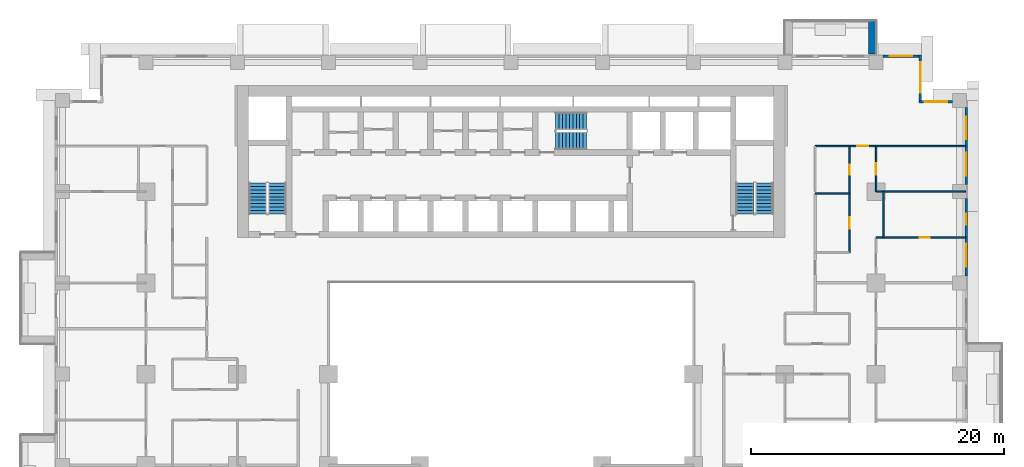
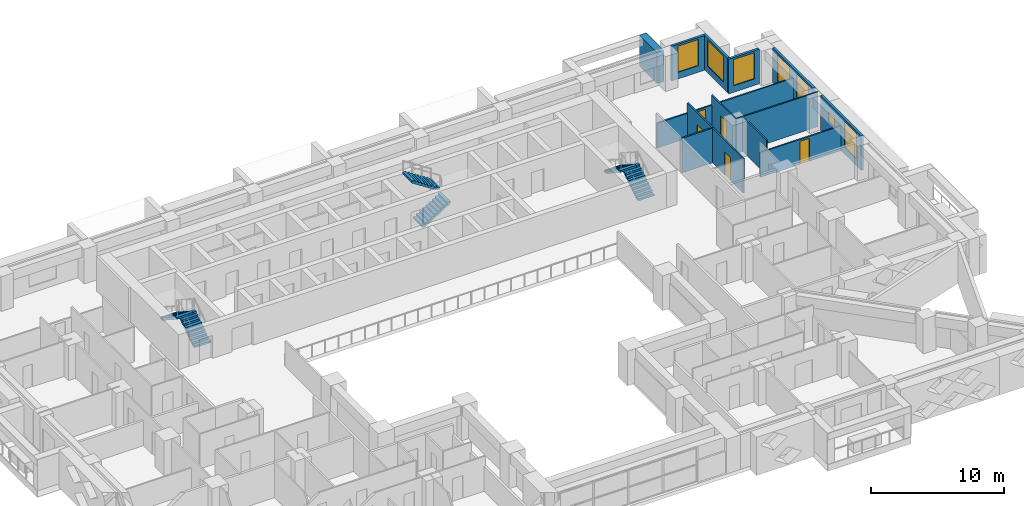
# One storey, part 12 of 16: 13 walls, 7 windows, 6 stair flights, 5 doors, 12 openings, 3 elements without a shape of their own.
"""IFC4 building model written with IfcOpenShell, lengths in metres."""

from ifc_helpers import new_model, si_unit, direction, frame, frame_2d, origin, place, context, subcontext, project, spatial, polyline, rectangle, outline, extrude, material, layer, layer_set, type_object, element, fill, aggregate, save


model = new_model("IFC4")

# Units and contexts
model_context = context("Model", 3, precision=1e-05, world=origin(), true_north=direction((0.0, 1.0)))
body_context = subcontext(model_context, "Body", "Model", "MODEL_VIEW")
ifc_project = project(units=[si_unit("LENGTHUNIT", "METRE"), si_unit("AREAUNIT", "SQUARE_METRE"), si_unit("VOLUMEUNIT", "CUBIC_METRE"), si_unit("PLANEANGLEUNIT", "RADIAN"), si_unit("MASSUNIT", "GRAM", prefix="KILO")], contexts=[model_context])

# Site, building, storey
site_placement = place(None, origin())
site = spatial("IfcSite", under=ifc_project, at=site_placement, CompositionType="ELEMENT")
building_placement = place(site_placement, origin())
building = spatial("IfcBuilding", under=site, at=building_placement, Name="Saffron Iwan Residences", CompositionType="ELEMENT")
storey_placement = place(building_placement, frame((0.0, 0.0, 44.5)))
storey = spatial("IfcBuildingStorey", under=building, at=storey_placement, Name="L10", CompositionType="ELEMENT", Elevation=44.5)

# Wall
ifc_material_1 = material(Name="Concrete C50/60 white painted", Category="concrete")
ifc_layer_1 = layer(ifc_material_1, 0.60009765625)
ifc_layer_set_1 = layer_set([ifc_layer_1], Name="Concrete C50/60 white painted")
wall_type_1 = type_object("IfcWallType", Name="BALCONY FIN 600", PredefinedType="SOLIDWALL", material=ifc_layer_set_1)
wall_1_placement = place(storey_placement, frame((78.89990234375, 80.449951171875, 0.0), z_axis=(0.0, 0.0, 1.0), x_axis=(0.0, 1.0, 0.0)))
element("IfcWall", 1, at=wall_1_placement, inside=storey, type_object=wall_type_1, Name="Balcony fin L10 F5-0a", PredefinedType="SOLIDWALL", context=body_context, shape_type="SweptSolid", body=[
    extrude(rectangle(XDim=2.650146484375, YDim=0.60009765625, at=frame_2d((1.3251953125, 0.0))), origin(), (0.0, 0.0, 1.0), 2.85009765625),
])

# Wall, openings, windows
ifc_material_2 = material(Name="Concrete C40/50", Category="concrete")
ifc_layer_2 = layer(ifc_material_2, 0.199951171875)
ifc_layer_set_2 = layer_set([ifc_layer_2], Name="Concrete C40/50")
wall_type_2 = type_object("IfcWallType", Name="EXTERNAL WALL 200", PredefinedType="SOLIDWALL", material=ifc_layer_set_2)
wall_2_placement = place(storey_placement, frame((86.300048828125, 62.949951171875, 0.0), z_axis=(0.0, 0.0, 1.0), x_axis=(0.0, 1.0, 0.0)))
wall_2 = element("IfcWall", 2, at=wall_2_placement, inside=storey, type_object=wall_type_2, Name="External wall L10 F2.2", PredefinedType="SOLIDWALL", context=body_context, shape_type="SweptSolid", body=[
    extrude(rectangle(XDim=6.10009765625, YDim=0.199951171875, at=frame_2d((3.050048828125, 0.0))), origin(), (0.0, 0.0, 1.0), 3.179931640625),
])
opening_1_placement = place(wall_2_placement, frame((0.72509765625, 0.0, 0.60009765625)))
opening_1 = element("IfcOpeningElement", 3, at=opening_1_placement, cuts=wall_2, Name="Opening W8", PredefinedType="OPENING", context=body_context, shape_type="SweptSolid", body=[
    extrude(rectangle(XDim=1.800048828125, YDim=2.39990234375, at=frame_2d((0.89990234375, 1.199951171875))), frame((0.0, 0.10986328125, 0.0), z_axis=(0.0, -1.0, 0.0), x_axis=(1.0, 0.0, 0.0)), (0.0, 0.0, 1.0), 0.219970703125),
])
opening_2_placement = place(wall_2_placement, frame((4.02490234375, 0.0, 1.5)))
opening_2 = element("IfcOpeningElement", 4, at=opening_2_placement, cuts=wall_2, Name="Opening W6", PredefinedType="OPENING", context=body_context, shape_type="SweptSolid", body=[
    extrude(rectangle(XDim=0.89990234375, YDim=0.89990234375, at=frame_2d((0.449951171875, 0.449951171875))), frame((0.0, 0.10986328125, 0.0), z_axis=(0.0, -1.0, 0.0), x_axis=(1.0, 0.0, 0.0)), (0.0, 0.0, 1.0), 0.219970703125),
])
ifc_material_3 = material(Name="Clear glass, laminated double glazed", Category="glass")
window_type_1 = type_object("IfcWindowType", Name="WINDOW 1800 x 2400", PartitioningType="DOUBLE_PANEL_VERTICAL", PredefinedType="WINDOW", material=ifc_material_3)
window_1_placement = place(opening_1_placement, origin())
window_1 = element("IfcWindow", 5, at=window_1_placement, inside=storey, type_object=window_type_1, Name="Window L10 F2.0", OverallHeight=2.39990234375, OverallWidth=1.800048828125, PartitioningType="DOUBLE_PANEL_VERTICAL", PredefinedType="WINDOW", context=body_context, shape_type="SweptSolid", body=[
    extrude(rectangle(XDim=1.800048828125, YDim=2.39990234375, at=frame_2d((0.89990234375, 1.199951171875))), frame((0.0, 0.030029296875, 0.0), z_axis=(0.0, -1.0, 0.0), x_axis=(1.0, 0.0, 0.0)), (0.0, 0.0, 1.0), 0.06005859375),
])
fill(opening_1, window_1)
window_type_2 = type_object("IfcWindowType", Name="WINDOW 900 x 900 BATH", PartitioningType="SINGLE_PANEL", PredefinedType="WINDOW", material=ifc_material_3)
window_2_placement = place(opening_2_placement, origin())
window_2 = element("IfcWindow", 6, at=window_2_placement, inside=storey, type_object=window_type_2, Name="Window L10 F2.1", OverallHeight=0.89990234375, OverallWidth=0.89990234375, PartitioningType="SINGLE_PANEL", PredefinedType="WINDOW", context=body_context, shape_type="SweptSolid", body=[
    extrude(rectangle(XDim=0.89990234375, YDim=0.89990234375, at=frame_2d((0.449951171875, 0.449951171875))), frame((0.0, 0.030029296875, 0.0), z_axis=(0.0, -1.0, 0.0), x_axis=(1.0, 0.0, 0.0)), (0.0, 0.0, 1.0), 0.06005859375),
])
fill(opening_2, window_2)

wall_3_placement = place(storey_placement, frame((86.300048828125, 70.14990234375, 0.0), z_axis=(0.0, 0.0, 1.0), x_axis=(0.0, 1.0, 0.0)))
wall_3 = element("IfcWall", 7, at=wall_3_placement, inside=storey, type_object=wall_type_2, Name="External wall L10 F2.3", PredefinedType="SOLIDWALL", context=body_context, shape_type="SweptSolid", body=[
    extrude(rectangle(XDim=6.10009765625, YDim=0.199951171875, at=frame_2d((3.050048828125, 0.0))), origin(), (0.0, 0.0, 1.0), 3.179931640625),
])
opening_3_placement = place(wall_3_placement, frame((0.72509765625, 0.0, 0.60009765625)))
opening_3 = element("IfcOpeningElement", 8, at=opening_3_placement, cuts=wall_3, Name="Opening W8", PredefinedType="OPENING", context=body_context, shape_type="SweptSolid", body=[
    extrude(rectangle(XDim=1.800048828125, YDim=2.39990234375, at=frame_2d((0.89990234375, 1.199951171875))), frame((0.0, 0.10986328125, 0.0), z_axis=(0.0, -1.0, 0.0), x_axis=(1.0, 0.0, 0.0)), (0.0, 0.0, 1.0), 0.219970703125),
])
opening_4_placement = place(wall_3_placement, frame((3.574951171875, 0.0, 0.60009765625)))
opening_4 = element("IfcOpeningElement", 9, at=opening_4_placement, cuts=wall_3, Name="Opening W8", PredefinedType="OPENING", context=body_context, shape_type="SweptSolid", body=[
    extrude(rectangle(XDim=1.800048828125, YDim=2.39990234375, at=frame_2d((0.89990234375, 1.199951171875))), frame((0.0, 0.10986328125, 0.0), z_axis=(0.0, -1.0, 0.0), x_axis=(1.0, 0.0, 0.0)), (0.0, 0.0, 1.0), 0.219970703125),
])
window_3_placement = place(opening_3_placement, origin())
window_3 = element("IfcWindow", 10, at=window_3_placement, inside=storey, type_object=window_type_1, Name="Window L10 F2.0", OverallHeight=2.39990234375, OverallWidth=1.800048828125, PartitioningType="DOUBLE_PANEL_VERTICAL", PredefinedType="WINDOW", context=body_context, shape_type="SweptSolid", body=[
    extrude(rectangle(XDim=1.800048828125, YDim=2.39990234375, at=frame_2d((0.89990234375, 1.199951171875))), frame((0.0, 0.030029296875, 0.0), z_axis=(0.0, -1.0, 0.0), x_axis=(1.0, 0.0, 0.0)), (0.0, 0.0, 1.0), 0.06005859375),
])
fill(opening_3, window_3)
window_4_placement = place(opening_4_placement, origin())
window_4 = element("IfcWindow", 11, at=window_4_placement, inside=storey, type_object=window_type_1, Name="Window L10 F2.1", OverallHeight=2.39990234375, OverallWidth=1.800048828125, PartitioningType="DOUBLE_PANEL_VERTICAL", PredefinedType="WINDOW", context=body_context, shape_type="SweptSolid", body=[
    extrude(rectangle(XDim=1.800048828125, YDim=2.39990234375, at=frame_2d((0.89990234375, 1.199951171875))), frame((0.0, 0.030029296875, 0.0), z_axis=(0.0, -1.0, 0.0), x_axis=(1.0, 0.0, 0.0)), (0.0, 0.0, 1.0), 0.06005859375),
])
fill(opening_4, window_4)

# Wall, opening, window
wall_4_placement = place(storey_placement, frame((85.25, 76.699951171875, 0.0), z_axis=(0.0, 0.0, 1.0), x_axis=(-1.0, 0.0, 0.0)))
wall_4 = element("IfcWall", 12, at=wall_4_placement, inside=storey, type_object=wall_type_2, Name="External wall L10 F3.0", PredefinedType="SOLIDWALL", context=body_context, shape_type="SweptSolid", body=[
    extrude(rectangle(XDim=2.64990234375, YDim=0.199951171875, at=frame_2d((1.324951171875, 0.0))), origin(), (0.0, 0.0, 1.0), 3.179931640625),
])
opening_5_placement = place(wall_4_placement, frame((0.425048828125, 0.0, 0.60009765625)))
opening_5 = element("IfcOpeningElement", 13, at=opening_5_placement, cuts=wall_4, Name="Opening W8", PredefinedType="OPENING", context=body_context, shape_type="SweptSolid", body=[
    extrude(rectangle(XDim=1.800048828125, YDim=2.39990234375, at=frame_2d((0.89990234375, 1.199951171875))), frame((0.0, 0.10986328125, 0.0), z_axis=(0.0, -1.0, 0.0), x_axis=(1.0, 0.0, 0.0)), (0.0, 0.0, 1.0), 0.219970703125),
])
window_5_placement = place(opening_5_placement, origin())
window_5 = element("IfcWindow", 14, at=window_5_placement, inside=storey, type_object=window_type_1, Name="Window L10 F3.0", OverallHeight=2.39990234375, OverallWidth=1.800048828125, PartitioningType="DOUBLE_PANEL_VERTICAL", PredefinedType="WINDOW", context=body_context, shape_type="SweptSolid", body=[
    extrude(rectangle(XDim=1.800048828125, YDim=2.39990234375, at=frame_2d((0.89990234375, 1.199951171875))), frame((0.0, 0.030029296875, 0.0), z_axis=(0.0, -1.0, 0.0), x_axis=(1.0, 0.0, 0.0)), (0.0, 0.0, 1.0), 0.06005859375),
])
fill(opening_5, window_5)

wall_5_placement = place(storey_placement, frame((82.699951171875, 76.800048828125, 0.0), z_axis=(0.0, 0.0, 1.0), x_axis=(0.0, 1.0, 0.0)))
wall_5 = element("IfcWall", 15, at=wall_5_placement, inside=storey, type_object=wall_type_2, Name="External wall L10 F4.0", PredefinedType="SOLIDWALL", context=body_context, shape_type="SweptSolid", body=[
    extrude(rectangle(XDim=3.599853515625, YDim=0.199951171875, at=frame_2d((1.7998046875, 0.0))), origin(), (0.0, 0.0, 1.0), 3.179931640625),
])
opening_6_placement = place(wall_5_placement, frame((0.60009765625, 0.0, 0.60009765625)))
opening_6 = element("IfcOpeningElement", 16, at=opening_6_placement, cuts=wall_5, Name="Opening W1", PredefinedType="OPENING", context=body_context, shape_type="SweptSolid", body=[
    extrude(rectangle(XDim=2.39990234375, YDim=2.39990234375, at=frame_2d((1.199951171875, 1.199951171875))), frame((0.0, 0.10986328125, 0.0), z_axis=(0.0, -1.0, 0.0), x_axis=(1.0, 0.0, 0.0)), (0.0, 0.0, 1.0), 0.219970703125),
])
window_type_3 = type_object("IfcWindowType", Name="WINDOW 2400 x 2400", PartitioningType="DOUBLE_PANEL_VERTICAL", PredefinedType="WINDOW", material=ifc_material_3)
window_6_placement = place(opening_6_placement, origin())
window_6 = element("IfcWindow", 17, at=window_6_placement, inside=storey, type_object=window_type_3, Name="Window L10 F4.0", OverallHeight=2.39990234375, OverallWidth=2.39990234375, PartitioningType="DOUBLE_PANEL_VERTICAL", PredefinedType="WINDOW", context=body_context, shape_type="SweptSolid", body=[
    extrude(rectangle(XDim=2.39990234375, YDim=2.39990234375, at=frame_2d((1.199951171875, 1.199951171875))), frame((0.0, 0.030029296875, 0.0), z_axis=(0.0, -1.0, 0.0), x_axis=(1.0, 0.0, 0.0)), (0.0, 0.0, 1.0), 0.06005859375),
])
fill(opening_6, window_6)

wall_6_placement = place(storey_placement, frame((82.60009765625, 80.300048828125, 0.0), z_axis=(0.0, 0.0, 1.0), x_axis=(-1.0, 0.0, 0.0)))
wall_6 = element("IfcWall", 18, at=wall_6_placement, inside=storey, type_object=wall_type_2, Name="External wall L10 F5.0", PredefinedType="SOLIDWALL", context=body_context, shape_type="SweptSolid", body=[
    extrude(rectangle(XDim=2.85009765625, YDim=0.199951171875, at=frame_2d((1.425048828125, 0.0))), origin(), (0.0, 0.0, 1.0), 3.179931640625),
])
opening_7_placement = place(wall_6_placement, frame((0.52490234375, 0.0, 0.60009765625)))
opening_7 = element("IfcOpeningElement", 19, at=opening_7_placement, cuts=wall_6, Name="Opening W8", PredefinedType="OPENING", context=body_context, shape_type="SweptSolid", body=[
    extrude(rectangle(XDim=1.800048828125, YDim=2.39990234375, at=frame_2d((0.89990234375, 1.199951171875))), frame((0.0, 0.10986328125, 0.0), z_axis=(0.0, -1.0, 0.0), x_axis=(1.0, 0.0, 0.0)), (0.0, 0.0, 1.0), 0.219970703125),
])
window_7_placement = place(opening_7_placement, origin())
window_7 = element("IfcWindow", 20, at=window_7_placement, inside=storey, type_object=window_type_1, Name="Window L10 F5.0", OverallHeight=2.39990234375, OverallWidth=1.800048828125, PartitioningType="DOUBLE_PANEL_VERTICAL", PredefinedType="WINDOW", context=body_context, shape_type="SweptSolid", body=[
    extrude(rectangle(XDim=1.800048828125, YDim=2.39990234375, at=frame_2d((0.89990234375, 1.199951171875))), frame((0.0, 0.030029296875, 0.0), z_axis=(0.0, -1.0, 0.0), x_axis=(1.0, 0.0, 0.0)), (0.0, 0.0, 1.0), 0.06005859375),
])
fill(opening_7, window_7)

# Wall, opening, door
ifc_material_4 = material(Name="Gypsum board partition")
ifc_layer_3 = layer(ifc_material_4, 0.1201171875)
ifc_layer_set_3 = layer_set([ifc_layer_3], Name="Gypsum board partition")
wall_type_3 = type_object("IfcWallType", Name="Flat partition 120", PredefinedType="PARTITIONING", material=ifc_layer_set_3)
wall_7_placement = place(storey_placement, frame((79.199951171875, 66.0, 0.0), z_axis=(0.0, 0.0, 1.0), x_axis=(1.0, 0.0, 0.0)))
wall_7 = element("IfcWall", 21, at=wall_7_placement, inside=storey, type_object=wall_type_3, Name="W-L10-PART-h66-79.2", PredefinedType="PARTITIONING", context=body_context, shape_type="SweptSolid", body=[
    extrude(rectangle(XDim=7.074951171875, YDim=0.1201171875, at=frame_2d((3.53759765625, 0.0))), origin(), (0.0, 0.0, 1.0), 2.280029296875),
])
opening_8_placement = place(wall_7_placement, frame((3.4375, 0.0, 0.0)))
opening_8 = element("IfcOpeningElement", 22, at=opening_8_placement, cuts=wall_7, Name="Opening FD3", PredefinedType="OPENING", context=body_context, shape_type="SweptSolid", body=[
    extrude(rectangle(XDim=0.800048828125, YDim=2.10009765625, at=frame_2d((0.39990234375, 1.050048828125))), frame((0.0, 0.070068359375, 0.0), z_axis=(0.0, -1.0, 0.0), x_axis=(1.0, 0.0, 0.0)), (0.0, 0.0, 1.0), 0.14013671875),
])
ifc_material_5 = material(Name="Timber door", Category="wood")
door_type_1 = type_object("IfcDoorType", Name="Bathroom door 800", OperationType="NOTDEFINED", PredefinedType="DOOR", material=ifc_material_5)
door_1_placement = place(opening_8_placement, origin())
door_1 = element("IfcDoor", 23, at=door_1_placement, inside=storey, type_object=door_type_1, Name="Door L10-037", OperationType="SINGLE_SWING_LEFT", OverallHeight=2.10009765625, OverallWidth=0.800048828125, PredefinedType="DOOR", context=body_context, shape_type="SweptSolid", body=[
    extrude(rectangle(XDim=0.800048828125, YDim=2.10009765625, at=frame_2d((0.39990234375, 1.050048828125))), frame((0.0, 0.02490234375, 0.0), z_axis=(0.0, -1.0, 0.0), x_axis=(1.0, 0.0, 0.0)), (0.0, 0.0, 1.0), 0.050048828125),
])
fill(opening_8, door_1)

# Walls
wall_8_placement = place(storey_placement, frame((74.39990234375, 69.449951171875, 0.0), z_axis=(0.0, 0.0, 1.0), x_axis=(1.0, 0.0, 0.0)))
element("IfcWall", 24, at=wall_8_placement, inside=storey, type_object=wall_type_3, Name="W-L10-PART-h69.45-74.4", PredefinedType="PARTITIONING", context=body_context, shape_type="SweptSolid", body=[
    extrude(rectangle(XDim=2.7001953125, YDim=0.1201171875, at=frame_2d((1.35009765625, 0.0))), origin(), (0.0, 0.0, 1.0), 3.179931640625),
])
wall_9_placement = place(storey_placement, frame((79.199951171875, 69.60009765625, 0.0), z_axis=(0.0, 0.0, 1.0), x_axis=(1.0, 0.0, 0.0)))
element("IfcWall", 25, at=wall_9_placement, inside=storey, type_object=wall_type_3, Name="W-L10-PART-h69.6-79.2", PredefinedType="PARTITIONING", context=body_context, shape_type="SweptSolid", body=[
    extrude(rectangle(XDim=7.074951171875, YDim=0.1201171875, at=frame_2d((3.53759765625, 0.0))), origin(), (0.0, 0.0, 1.0), 3.179931640625),
])

# Wall, opening, door
wall_10_placement = place(storey_placement, frame((74.39990234375, 73.199951171875, 0.0), z_axis=(0.0, 0.0, 1.0), x_axis=(1.0, 0.0, 0.0)))
wall_10 = element("IfcWall", 26, at=wall_10_placement, inside=storey, type_object=wall_type_3, Name="W-L10-PART-h73.2-74.4", PredefinedType="PARTITIONING", context=body_context, shape_type="SweptSolid", body=[
    extrude(rectangle(XDim=11.875, YDim=0.1201171875, at=frame_2d((5.9375, 0.0))), origin(), (0.0, 0.0, 1.0), 2.280029296875),
])
opening_9_placement = place(wall_10_placement, frame((3.300048828125, 0.0, 0.0)))
opening_9 = element("IfcOpeningElement", 27, at=opening_9_placement, cuts=wall_10, Name="Opening FD2", PredefinedType="OPENING", context=body_context, shape_type="SweptSolid", body=[
    extrude(rectangle(XDim=0.89990234375, YDim=2.10009765625, at=frame_2d((0.449951171875, 1.050048828125))), frame((0.0, 0.070068359375, 0.0), z_axis=(0.0, -1.0, 0.0), x_axis=(1.0, 0.0, 0.0)), (0.0, 0.0, 1.0), 0.14013671875),
])
door_type_2 = type_object("IfcDoorType", Name="Flat door 900", OperationType="NOTDEFINED", PredefinedType="DOOR", material=ifc_material_5)
door_2_placement = place(opening_9_placement, origin())
door_2 = element("IfcDoor", 28, at=door_2_placement, inside=storey, type_object=door_type_2, Name="Door L10-039", OperationType="SINGLE_SWING_RIGHT", OverallHeight=2.10009765625, OverallWidth=0.89990234375, PredefinedType="DOOR", context=body_context, shape_type="SweptSolid", body=[
    extrude(rectangle(XDim=0.89990234375, YDim=2.10009765625, at=frame_2d((0.449951171875, 1.050048828125))), frame((0.0, 0.02490234375, 0.0), z_axis=(0.0, -1.0, 0.0), x_axis=(1.0, 0.0, 0.0)), (0.0, 0.0, 1.0), 0.050048828125),
])
fill(opening_9, door_2)

# Wall, openings, doors
wall_11_placement = place(storey_placement, frame((77.10009765625, 64.800048828125, 0.0), z_axis=(0.0, 0.0, 1.0), x_axis=(0.0, 1.0, 0.0)))
wall_11 = element("IfcWall", 29, at=wall_11_placement, inside=storey, type_object=wall_type_3, Name="W-L10-PART-v77.1-64.8", PredefinedType="PARTITIONING", context=body_context, shape_type="SweptSolid", body=[
    extrude(rectangle(XDim=8.39990234375, YDim=0.1201171875, at=frame_2d((4.199951171875, 0.0))), origin(), (0.0, 0.0, 1.0), 3.179931640625),
])
opening_10_placement = place(wall_11_placement, frame((1.875, 0.0, 0.0)))
opening_10 = element("IfcOpeningElement", 30, at=opening_10_placement, cuts=wall_11, Name="Opening FD2", PredefinedType="OPENING", context=body_context, shape_type="SweptSolid", body=[
    extrude(rectangle(XDim=0.89990234375, YDim=2.10009765625, at=frame_2d((0.449951171875, 1.050048828125))), frame((0.0, 0.070068359375, 0.0), z_axis=(0.0, -1.0, 0.0), x_axis=(1.0, 0.0, 0.0)), (0.0, 0.0, 1.0), 0.14013671875),
])
opening_11_placement = place(wall_11_placement, frame((6.125, 0.0, 0.0)))
opening_11 = element("IfcOpeningElement", 31, at=opening_11_placement, cuts=wall_11, Name="Opening FD3", PredefinedType="OPENING", context=body_context, shape_type="SweptSolid", body=[
    extrude(rectangle(XDim=0.800048828125, YDim=2.10009765625, at=frame_2d((0.39990234375, 1.050048828125))), frame((0.0, 0.070068359375, 0.0), z_axis=(0.0, -1.0, 0.0), x_axis=(1.0, 0.0, 0.0)), (0.0, 0.0, 1.0), 0.14013671875),
])
door_3_placement = place(opening_11_placement, origin())
door_3 = element("IfcDoor", 32, at=door_3_placement, inside=storey, type_object=door_type_1, Name="Door L10-041", OperationType="SINGLE_SWING_LEFT", OverallHeight=2.10009765625, OverallWidth=0.800048828125, PredefinedType="DOOR", context=body_context, shape_type="SweptSolid", body=[
    extrude(rectangle(XDim=0.800048828125, YDim=2.10009765625, at=frame_2d((0.39990234375, 1.050048828125))), frame((0.0, 0.02490234375, 0.0), z_axis=(0.0, -1.0, 0.0), x_axis=(1.0, 0.0, 0.0)), (0.0, 0.0, 1.0), 0.050048828125),
])
fill(opening_11, door_3)
door_4_placement = place(opening_10_placement, origin())
door_4 = element("IfcDoor", 33, at=door_4_placement, inside=storey, type_object=door_type_2, Name="Door L10-040", OperationType="SINGLE_SWING_LEFT", OverallHeight=2.10009765625, OverallWidth=0.89990234375, PredefinedType="DOOR", context=body_context, shape_type="SweptSolid", body=[
    extrude(rectangle(XDim=0.89990234375, YDim=2.10009765625, at=frame_2d((0.449951171875, 1.050048828125))), frame((0.0, 0.02490234375, 0.0), z_axis=(0.0, -1.0, 0.0), x_axis=(1.0, 0.0, 0.0)), (0.0, 0.0, 1.0), 0.050048828125),
])
fill(opening_10, door_4)

# Wall, opening, door
wall_12_placement = place(storey_placement, frame((79.199951171875, 69.60009765625, 0.0), z_axis=(0.0, 0.0, 1.0), x_axis=(0.0, 1.0, 0.0)))
wall_12 = element("IfcWall", 34, at=wall_12_placement, inside=storey, type_object=wall_type_3, Name="W-L10-PART-v79.2-69.6", PredefinedType="PARTITIONING", context=body_context, shape_type="SweptSolid", body=[
    extrude(rectangle(XDim=3.599853515625, YDim=0.1201171875, at=frame_2d((1.7998046875, 0.0))), origin(), (0.0, 0.0, 1.0), 3.179931640625),
])
opening_12_placement = place(wall_12_placement, frame((1.35009765625, 0.0, 0.0)))
opening_12 = element("IfcOpeningElement", 35, at=opening_12_placement, cuts=wall_12, Name="Opening FD2", PredefinedType="OPENING", context=body_context, shape_type="SweptSolid", body=[
    extrude(rectangle(XDim=0.89990234375, YDim=2.10009765625, at=frame_2d((0.449951171875, 1.050048828125))), frame((0.0, 0.070068359375, 0.0), z_axis=(0.0, -1.0, 0.0), x_axis=(1.0, 0.0, 0.0)), (0.0, 0.0, 1.0), 0.14013671875),
])
door_5_placement = place(opening_12_placement, origin())
door_5 = element("IfcDoor", 36, at=door_5_placement, inside=storey, type_object=door_type_2, Name="Door L10-038", OperationType="SINGLE_SWING_LEFT", OverallHeight=2.10009765625, OverallWidth=0.89990234375, PredefinedType="DOOR", context=body_context, shape_type="SweptSolid", body=[
    extrude(rectangle(XDim=0.89990234375, YDim=2.10009765625, at=frame_2d((0.449951171875, 1.050048828125))), frame((0.0, 0.02490234375, 0.0), z_axis=(0.0, -1.0, 0.0), x_axis=(1.0, 0.0, 0.0)), (0.0, 0.0, 1.0), 0.050048828125),
])
fill(opening_12, door_5)

# Wall
wall_13_placement = place(storey_placement, frame((79.800048828125, 66.0, 0.0), z_axis=(0.0, 0.0, 1.0), x_axis=(0.0, 1.0, 0.0)))
element("IfcWall", 37, at=wall_13_placement, inside=storey, type_object=wall_type_3, Name="W-L10-PART-v79.8-66", PredefinedType="PARTITIONING", context=body_context, shape_type="SweptSolid", body=[
    extrude(rectangle(XDim=3.60009765625, YDim=0.1201171875, at=frame_2d((1.800048828125, 0.0))), origin(), (0.0, 0.0, 1.0), 3.179931640625),
])

# Stair, stair flights
ifc_material_6 = material(Name="Concrete C50/60", Category="concrete")
stair_type = type_object("IfcStairType", Name="Stair ST-CORE", PredefinedType="HALF_TURN_STAIR", material=ifc_material_6)
stair_1_placement = place(storey_placement, origin())
stair_1 = element("IfcStair", 38, at=stair_1_placement, inside=storey, type_object=stair_type, Name="L10 Exit Stair ST-W", PredefinedType="HALF_TURN_STAIR")
ifc_layer_4 = layer(ifc_material_6, 0.14990234375)
ifc_layer_set_4 = layer_set([ifc_layer_4], Name="Concrete C50/60")
stair_flight_type = type_object("IfcStairFlightType", Name="Stair flight SFL-RC", PredefinedType="STRAIGHT", material=ifc_layer_set_4)
stair_flight_1_placement = place(storey_placement, frame((31.949951171875, 67.85009765625, 0.0), z_axis=(0.0, 0.0, 1.0), x_axis=(0.0, 1.0, 0.0)))
stair_flight_1 = element("IfcStairFlight", 39, at=stair_flight_1_placement, type_object=stair_flight_type, Name="ST-W flight 1", NumberOfRisers=10, NumberOfTreads=9, PredefinedType="STRAIGHT", RiserHeight=0.175, TreadLength=0.27, context=body_context, shape_type="SweptSolid", body=[
    extrude(outline(polyline([(0.0, 0.0), (0.0, 0.175048828125), (0.27001953125, 0.175048828125), (0.27001953125, 0.35009765625), (0.5400390625, 0.35009765625), (0.5400390625, 0.52490234375), (0.81005859375, 0.52490234375), (0.81005859375, 0.699951171875), (1.080078125, 0.699951171875), (1.080078125, 0.875), (1.35009765625, 0.875), (1.35009765625, 1.050048828125), (1.6201171875, 1.050048828125), (1.6201171875, 1.22509765625), (1.889892578125, 1.22509765625), (1.889892578125, 1.39990234375), (2.159912109375, 1.39990234375), (2.159912109375, 1.574951171875), (2.429931640625, 1.574951171875), (2.429931640625, 1.75), (2.429931640625, 1.396484375), (0.275634765625, 0.0), (0.0, 0.0)])), frame((0.0, 0.699951171875, 0.0), z_axis=(0.0, -1.0, 0.0), x_axis=(1.0, 0.0, 0.0)), (0.0, 0.0, 1.0), 1.39990234375),
])
stair_flight_2_placement = place(storey_placement, frame((30.39990234375, 70.280029296875, 1.75), z_axis=(0.0, 0.0, 1.0), x_axis=(0.0, -1.0, 0.0)))
stair_flight_2 = element("IfcStairFlight", 40, at=stair_flight_2_placement, type_object=stair_flight_type, Name="ST-W flight 2", NumberOfRisers=10, NumberOfTreads=9, PredefinedType="STRAIGHT", RiserHeight=0.175, TreadLength=0.27, context=body_context, shape_type="SweptSolid", body=[
    extrude(outline(polyline([(0.0, 0.0), (0.0, 0.175048828125), (0.27001953125, 0.175048828125), (0.27001953125, 0.35009765625), (0.5400390625, 0.35009765625), (0.5400390625, 0.52490234375), (0.81005859375, 0.52490234375), (0.81005859375, 0.699951171875), (1.080078125, 0.699951171875), (1.080078125, 0.875), (1.35009765625, 0.875), (1.35009765625, 1.050048828125), (1.6201171875, 1.050048828125), (1.6201171875, 1.22509765625), (1.889892578125, 1.22509765625), (1.889892578125, 1.39990234375), (2.159912109375, 1.39990234375), (2.159912109375, 1.574951171875), (2.429931640625, 1.574951171875), (2.429931640625, 1.75), (2.429931640625, 1.396484375), (0.275634765625, 0.0), (0.0, 0.0)])), frame((0.0, 0.699951171875, 0.0), z_axis=(0.0, -1.0, 0.0), x_axis=(1.0, 0.0, 0.0)), (0.0, 0.0, 1.0), 1.39990234375),
])
aggregate(stair_1, [stair_flight_1, stair_flight_2])

stair_2_placement = place(storey_placement, origin())
stair_2 = element("IfcStair", 41, at=stair_2_placement, inside=storey, type_object=stair_type, Name="L10 Exit Stair ST-C", PredefinedType="HALF_TURN_STAIR")
stair_flight_3_placement = place(storey_placement, frame((53.925048828125, 73.625, 0.0), z_axis=(0.0, 0.0, 1.0), x_axis=(1.0, 0.0, 0.0)))
stair_flight_3 = element("IfcStairFlight", 42, at=stair_flight_3_placement, type_object=stair_flight_type, Name="ST-C flight 1", NumberOfRisers=10, NumberOfTreads=9, PredefinedType="STRAIGHT", RiserHeight=0.175, TreadLength=0.27, context=body_context, shape_type="SweptSolid", body=[
    extrude(outline(polyline([(0.0, 0.0), (0.0, 0.175048828125), (0.27001953125, 0.175048828125), (0.27001953125, 0.35009765625), (0.5400390625, 0.35009765625), (0.5400390625, 0.52490234375), (0.81005859375, 0.52490234375), (0.81005859375, 0.699951171875), (1.080078125, 0.699951171875), (1.080078125, 0.875), (1.35009765625, 0.875), (1.35009765625, 1.050048828125), (1.6201171875, 1.050048828125), (1.6201171875, 1.22509765625), (1.889892578125, 1.22509765625), (1.889892578125, 1.39990234375), (2.159912109375, 1.39990234375), (2.159912109375, 1.574951171875), (2.429931640625, 1.574951171875), (2.429931640625, 1.75), (2.429931640625, 1.396484375), (0.275634765625, 0.0), (0.0, 0.0)])), frame((0.0, 0.699951171875, 0.0), z_axis=(0.0, -1.0, 0.0), x_axis=(1.0, 0.0, 0.0)), (0.0, 0.0, 1.0), 1.39990234375),
])
stair_flight_4_placement = place(storey_placement, frame((56.35498046875, 75.175048828125, 1.75), z_axis=(0.0, 0.0, 1.0), x_axis=(-1.0, 0.0, 0.0)))
stair_flight_4 = element("IfcStairFlight", 43, at=stair_flight_4_placement, type_object=stair_flight_type, Name="ST-C flight 2", NumberOfRisers=10, NumberOfTreads=9, PredefinedType="STRAIGHT", RiserHeight=0.175, TreadLength=0.27, context=body_context, shape_type="SweptSolid", body=[
    extrude(outline(polyline([(0.0, 0.0), (0.0, 0.175048828125), (0.27001953125, 0.175048828125), (0.27001953125, 0.35009765625), (0.5400390625, 0.35009765625), (0.5400390625, 0.52490234375), (0.81005859375, 0.52490234375), (0.81005859375, 0.699951171875), (1.080078125, 0.699951171875), (1.080078125, 0.875), (1.35009765625, 0.875), (1.35009765625, 1.050048828125), (1.6201171875, 1.050048828125), (1.6201171875, 1.22509765625), (1.889892578125, 1.22509765625), (1.889892578125, 1.39990234375), (2.159912109375, 1.39990234375), (2.159912109375, 1.574951171875), (2.429931640625, 1.574951171875), (2.429931640625, 1.75), (2.429931640625, 1.396484375), (0.275634765625, 0.0), (0.0, 0.0)])), frame((0.0, 0.699951171875, 0.0), z_axis=(0.0, -1.0, 0.0), x_axis=(1.0, 0.0, 0.0)), (0.0, 0.0, 1.0), 1.39990234375),
])
aggregate(stair_2, [stair_flight_3, stair_flight_4])

stair_3_placement = place(storey_placement, origin())
stair_3 = element("IfcStair", 44, at=stair_3_placement, inside=storey, type_object=stair_type, Name="L10 Exit Stair ST-E", PredefinedType="HALF_TURN_STAIR")
stair_flight_5_placement = place(storey_placement, frame((70.39990234375, 67.85009765625, 0.0), z_axis=(0.0, 0.0, 1.0), x_axis=(0.0, 1.0, 0.0)))
stair_flight_5 = element("IfcStairFlight", 45, at=stair_flight_5_placement, type_object=stair_flight_type, Name="ST-E flight 1", NumberOfRisers=10, NumberOfTreads=9, PredefinedType="STRAIGHT", RiserHeight=0.175, TreadLength=0.27, context=body_context, shape_type="SweptSolid", body=[
    extrude(outline(polyline([(0.0, 0.0), (0.0, 0.175048828125), (0.27001953125, 0.175048828125), (0.27001953125, 0.35009765625), (0.5400390625, 0.35009765625), (0.5400390625, 0.52490234375), (0.81005859375, 0.52490234375), (0.81005859375, 0.699951171875), (1.080078125, 0.699951171875), (1.080078125, 0.875), (1.35009765625, 0.875), (1.35009765625, 1.050048828125), (1.6201171875, 1.050048828125), (1.6201171875, 1.22509765625), (1.889892578125, 1.22509765625), (1.889892578125, 1.39990234375), (2.159912109375, 1.39990234375), (2.159912109375, 1.574951171875), (2.429931640625, 1.574951171875), (2.429931640625, 1.75), (2.429931640625, 1.396484375), (0.275634765625, 0.0), (0.0, 0.0)])), frame((0.0, 0.699951171875, 0.0), z_axis=(0.0, -1.0, 0.0), x_axis=(1.0, 0.0, 0.0)), (0.0, 0.0, 1.0), 1.39990234375),
])
stair_flight_6_placement = place(storey_placement, frame((68.85009765625, 70.280029296875, 1.75), z_axis=(0.0, 0.0, 1.0), x_axis=(0.0, -1.0, 0.0)))
stair_flight_6 = element("IfcStairFlight", 46, at=stair_flight_6_placement, type_object=stair_flight_type, Name="ST-E flight 2", NumberOfRisers=10, NumberOfTreads=9, PredefinedType="STRAIGHT", RiserHeight=0.175, TreadLength=0.27, context=body_context, shape_type="SweptSolid", body=[
    extrude(outline(polyline([(0.0, 0.0), (0.0, 0.175048828125), (0.27001953125, 0.175048828125), (0.27001953125, 0.35009765625), (0.5400390625, 0.35009765625), (0.5400390625, 0.52490234375), (0.81005859375, 0.52490234375), (0.81005859375, 0.699951171875), (1.080078125, 0.699951171875), (1.080078125, 0.875), (1.35009765625, 0.875), (1.35009765625, 1.050048828125), (1.6201171875, 1.050048828125), (1.6201171875, 1.22509765625), (1.889892578125, 1.22509765625), (1.889892578125, 1.39990234375), (2.159912109375, 1.39990234375), (2.159912109375, 1.574951171875), (2.429931640625, 1.574951171875), (2.429931640625, 1.75), (2.429931640625, 1.396484375), (0.275634765625, 0.0), (0.0, 0.0)])), frame((0.0, 0.699951171875, 0.0), z_axis=(0.0, -1.0, 0.0), x_axis=(1.0, 0.0, 0.0)), (0.0, 0.0, 1.0), 1.39990234375),
])
aggregate(stair_3, [stair_flight_5, stair_flight_6])

save(model, "model.ifc")
